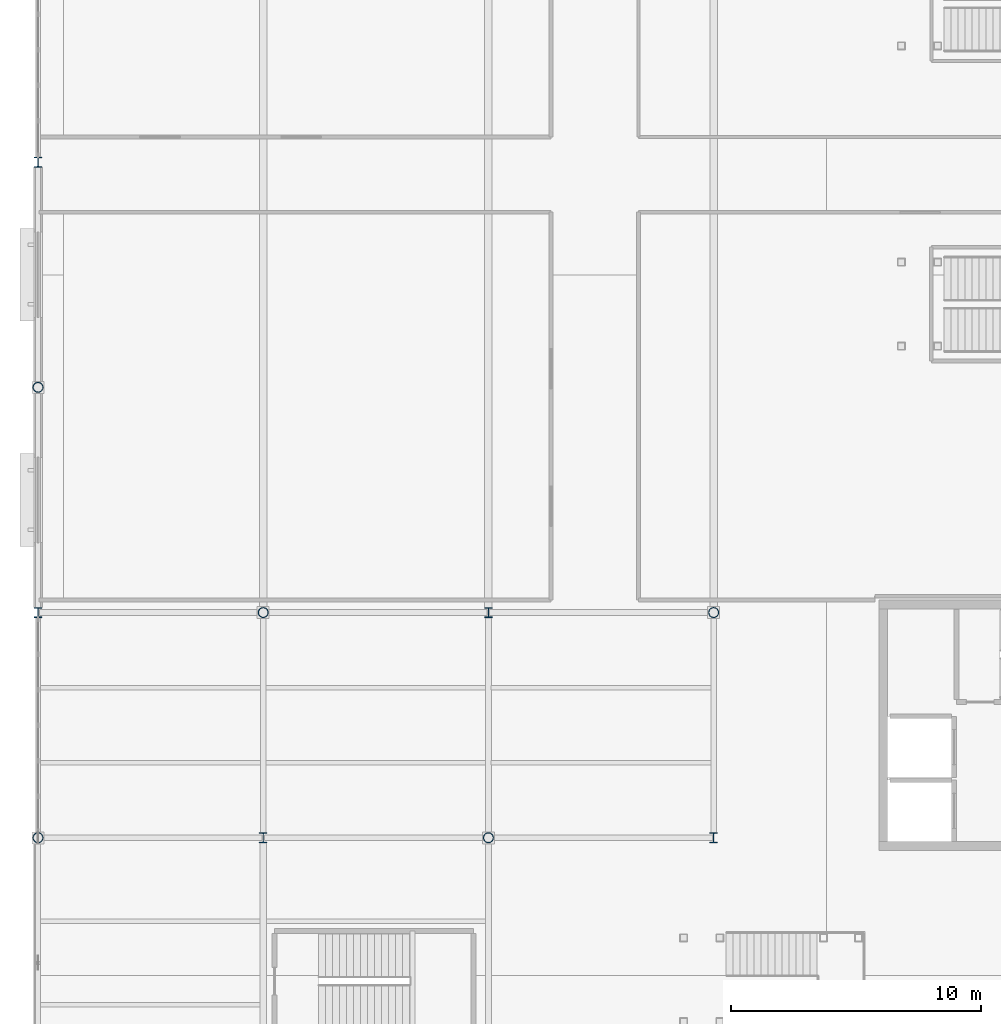
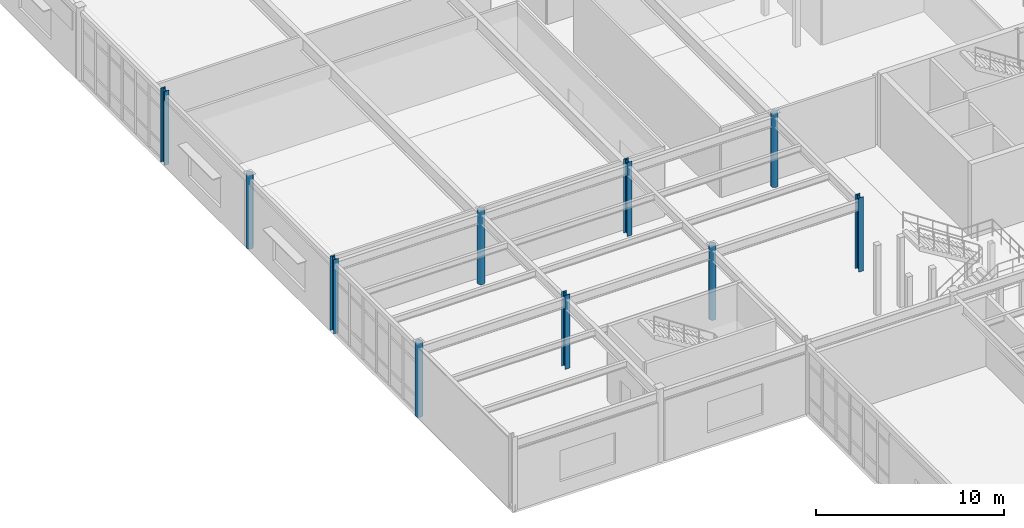
# One storey, part 8 of 84: 10 columns.
"""IFC4 building model written with IfcOpenShell, lengths in metres."""

from ifc_helpers import new_model, si_unit, direction, frame, origin, origin_2d, place, context, subcontext, project, spatial, hollow_circle, i_section, extrude, material, material_profile, profile_set, type_object, element, save


model = new_model("IFC4")

# Units and contexts
model_context = context("Model", 3, precision=1e-05, world=origin(), true_north=direction((0.0, 1.0)))
body_context = subcontext(model_context, "Body", "Model", "MODEL_VIEW")
ifc_project = project(units=[si_unit("LENGTHUNIT", "METRE"), si_unit("AREAUNIT", "SQUARE_METRE"), si_unit("VOLUMEUNIT", "CUBIC_METRE"), si_unit("PLANEANGLEUNIT", "RADIAN"), si_unit("MASSUNIT", "GRAM", prefix="KILO")], contexts=[model_context])

# Site, building, storey
site_placement = place(None, origin())
site = spatial("IfcSite", under=ifc_project, at=site_placement, CompositionType="ELEMENT")
building_placement = place(site_placement, origin())
building = spatial("IfcBuilding", under=site, at=building_placement, Name="Glasvene Arena", CompositionType="ELEMENT")
storey_placement = place(building_placement, frame((0.0, 0.0, 10.199951171875)))
storey = spatial("IfcBuildingStorey", under=building, at=storey_placement, Name="L02", CompositionType="ELEMENT", Elevation=10.199951171875)

# Columns
ifc_material = material(Name="Steel S355J2", Category="steel")
ifc_material_profile_1 = material_profile(ifc_material, hollow_circle(Radius=0.203125, WallThickness=0.01611328125, at=origin_2d()), Name="CHS 406.4x16.0")
ifc_profile_set_1 = profile_set([ifc_material_profile_1], Name="Steel S355J2")
column_type_1 = type_object("IfcColumnType", Name="COL-W-CHS406", PredefinedType="COLUMN", material=ifc_profile_set_1)
for number, where, z_axis, x_axis, name in (
    (1, (0.0, 64.0, 0.0), (0.0, 0.0, 1.0), (1.0, 0.0, 0.0), "Grid column 1-8 L02"),
    (2, (0.0, 82.0, 0.0), (0.0, 0.0, 1.0), (1.0, 0.0, 0.0), "Grid column 1-10 L02"),
    (3, (9.0, 73.0, 0.0), (0.0, 0.0, 1.0), (1.0, 0.0, 0.0), "Grid column 2-9 L02"),
    (4, (18.0, 64.0, 0.0), (0.0, 0.0, 1.0), (1.0, 0.0, 0.0), "Grid column 3-8 L02"),
    (5, (27.0, 73.0, 0.0), (0.0, 0.0, 1.0), (1.0, 0.0, 0.0), "Grid column 4-9 L02"),
):
    element("IfcColumn", number, at=place(storey_placement, frame(where, z_axis=z_axis, x_axis=x_axis)), inside=storey, type_object=column_type_1, Name=name, PredefinedType="COLUMN", context=body_context, shape_type="SweptSolid", body=[
        extrude(hollow_circle(Radius=0.203125, WallThickness=0.01611328125, at=origin_2d()), origin(), (0.0, 0.0, 1.0), 4.800048828125),
    ])
ifc_material_profile_2 = material_profile(ifc_material, i_section(OverallWidth=0.300048828125, OverallDepth=0.39990234375, WebThickness=0.013427734375, FlangeThickness=0.02392578125, FilletRadius=0.027099609375, at=origin_2d()), Name="HEB 400")
ifc_profile_set_2 = profile_set([ifc_material_profile_2], Name="Steel S355J2")
column_type_2 = type_object("IfcColumnType", Name="COL-W-HEB400", PredefinedType="COLUMN", material=ifc_profile_set_2)
for number, where, z_axis, x_axis, name in (
    (6, (0.0, 73.0, 0.0), (0.0, 0.0, 1.0), (1.0, 0.0, 0.0), "Grid column 1-9 L02"),
    (7, (0.0, 91.0, 0.0), (0.0, 0.0, 1.0), (1.0, 0.0, 0.0), "Grid column 1-11 L02"),
    (8, (9.0, 64.0, 0.0), (0.0, 0.0, 1.0), (1.0, 0.0, 0.0), "Grid column 2-8 L02"),
    (9, (18.0, 73.0, 0.0), (0.0, 0.0, 1.0), (1.0, 0.0, 0.0), "Grid column 3-9 L02"),
    (10, (27.0, 64.0, 0.0), (0.0, 0.0, 1.0), (1.0, 0.0, 0.0), "Grid column 4-8 L02"),
):
    element("IfcColumn", number, at=place(storey_placement, frame(where, z_axis=z_axis, x_axis=x_axis)), inside=storey, type_object=column_type_2, Name=name, PredefinedType="COLUMN", context=body_context, shape_type="SweptSolid", body=[
        extrude(i_section(OverallWidth=0.300048828125, OverallDepth=0.39990234375, WebThickness=0.013427734375, FlangeThickness=0.02392578125, FilletRadius=0.027099609375, at=origin_2d()), origin(), (0.0, 0.0, 1.0), 4.800048828125),
    ])

save(model, "model.ifc")
